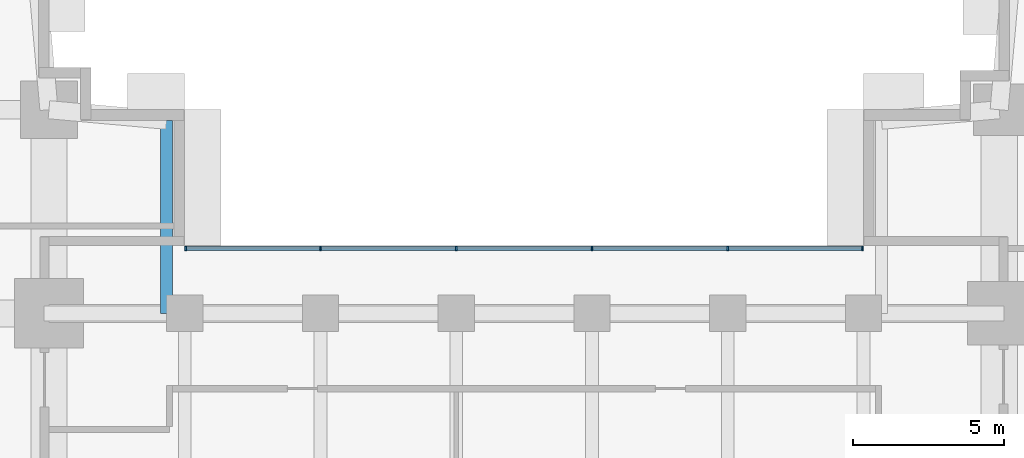
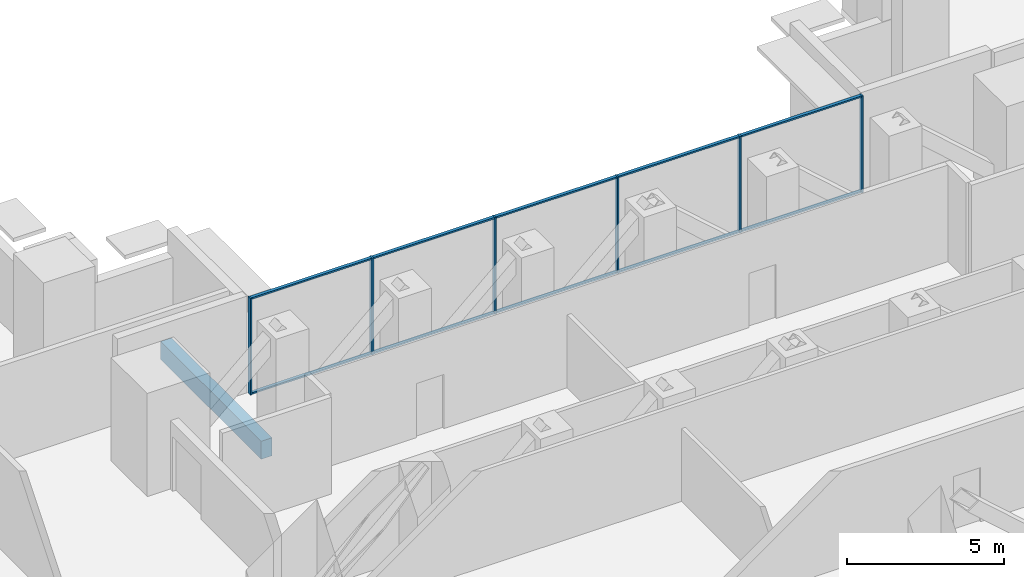
# One storey, part 4 of 16: 16 members, 1 beam, 1 element without a shape of its own.
"""IFC4 building model written with IfcOpenShell, lengths in metres."""

from ifc_helpers import new_model, si_unit, direction, frame, origin, origin_2d, place, context, subcontext, project, spatial, rectangle, extrude, material, layer, layer_set, material_profile, profile_set, type_object, element, aggregate, save


model = new_model("IFC4")

# Units and contexts
model_context = context("Model", 3, precision=1e-05, world=origin(), true_north=direction((0.0, 1.0)))
body_context = subcontext(model_context, "Body", "Model", "MODEL_VIEW")
ifc_project = project(units=[si_unit("LENGTHUNIT", "METRE"), si_unit("AREAUNIT", "SQUARE_METRE"), si_unit("VOLUMEUNIT", "CUBIC_METRE"), si_unit("PLANEANGLEUNIT", "RADIAN"), si_unit("MASSUNIT", "GRAM", prefix="KILO")], contexts=[model_context])

# Site, building, storey
site_placement = place(None, origin())
site = spatial("IfcSite", under=ifc_project, at=site_placement, CompositionType="ELEMENT")
building_placement = place(site_placement, origin())
building = spatial("IfcBuilding", under=site, at=building_placement, Name="Namib Vertical Campus", CompositionType="ELEMENT")
storey_placement = place(building_placement, frame((0.0, 0.0, 117.0)))
storey = spatial("IfcBuildingStorey", under=building, at=storey_placement, Name="L27", CompositionType="ELEMENT", Elevation=117.0)

# Curtain wall, members
ifc_material_1 = material(Name="Black aluminium curtain wall", Category="aluminium")
ifc_layer = layer(ifc_material_1, 0.199951171875)
ifc_layer_set = layer_set([ifc_layer], Name="Bridge curtain wall CW-BR")
curtain_wall_type = type_object("IfcCurtainWallType", Name="Bridge curtain wall CW-BR", PredefinedType="USERDEFINED", material=ifc_layer_set)
curtain_wall_placement = place(storey_placement, origin())
curtain_wall = element("IfcCurtainWall", 1, at=curtain_wall_placement, inside=storey, type_object=curtain_wall_type, Name="Curtain wall CW-BR L27 N", ObjectType="CURTAIN WALL", PredefinedType="USERDEFINED")
ifc_material_2 = material(Name="Black anodised aluminium", Category="aluminium")
ifc_material_profile_1 = material_profile(ifc_material_2, rectangle(XDim=0.06005859375, YDim=0.159912109375, at=origin_2d()))
ifc_profile_set_1 = profile_set([ifc_material_profile_1], Name="Black anodised aluminium")
member_type_1 = type_object("IfcMemberType", Name="Curtain wall mullion 60x160", PredefinedType="MULLION", material=ifc_profile_set_1)
member_1_placement = place(storey_placement, frame((62.969970703125, 31.39990234375, 0.0), z_axis=(0.0, 0.0, 1.0), x_axis=(-1.0, 0.0, 0.0)))
member_1 = element("IfcMember", 2, at=member_1_placement, type_object=member_type_1, Name="CW-BR mullion 1", PredefinedType="MULLION", context=body_context, shape_type="SweptSolid", body=[
    extrude(rectangle(XDim=0.06005859375, YDim=0.159912109375, at=origin_2d()), origin(), (0.0, 0.0, 1.0), 3.75),
])
member_2_placement = place(storey_placement, frame((58.5, 31.39990234375, 0.0), z_axis=(0.0, 0.0, 1.0), x_axis=(-1.0, 0.0, 0.0)))
member_2 = element("IfcMember", 3, at=member_2_placement, type_object=member_type_1, Name="CW-BR mullion 2", PredefinedType="MULLION", context=body_context, shape_type="SweptSolid", body=[
    extrude(rectangle(XDim=0.06005859375, YDim=0.159912109375, at=origin_2d()), origin(), (0.0, 0.0, 1.0), 3.75),
])
member_3_placement = place(storey_placement, frame((54.0, 31.39990234375, 0.0), z_axis=(0.0, 0.0, 1.0), x_axis=(-1.0, 0.0, 0.0)))
member_3 = element("IfcMember", 4, at=member_3_placement, type_object=member_type_1, Name="CW-BR mullion 3", PredefinedType="MULLION", context=body_context, shape_type="SweptSolid", body=[
    extrude(rectangle(XDim=0.06005859375, YDim=0.159912109375, at=origin_2d()), origin(), (0.0, 0.0, 1.0), 3.75),
])
member_4_placement = place(storey_placement, frame((49.5, 31.39990234375, 0.0), z_axis=(0.0, 0.0, 1.0), x_axis=(-1.0, 0.0, 0.0)))
member_4 = element("IfcMember", 5, at=member_4_placement, type_object=member_type_1, Name="CW-BR mullion 4", PredefinedType="MULLION", context=body_context, shape_type="SweptSolid", body=[
    extrude(rectangle(XDim=0.06005859375, YDim=0.159912109375, at=origin_2d()), origin(), (0.0, 0.0, 1.0), 3.75),
])
member_5_placement = place(storey_placement, frame((45.0, 31.39990234375, 0.0), z_axis=(0.0, 0.0, 1.0), x_axis=(-1.0, 0.0, 0.0)))
member_5 = element("IfcMember", 6, at=member_5_placement, type_object=member_type_1, Name="CW-BR mullion 5", PredefinedType="MULLION", context=body_context, shape_type="SweptSolid", body=[
    extrude(rectangle(XDim=0.06005859375, YDim=0.159912109375, at=origin_2d()), origin(), (0.0, 0.0, 1.0), 3.75),
])
member_6_placement = place(storey_placement, frame((40.530029296875, 31.39990234375, 0.0), z_axis=(0.0, 0.0, 1.0), x_axis=(-1.0, 0.0, 0.0)))
member_6 = element("IfcMember", 7, at=member_6_placement, type_object=member_type_1, Name="CW-BR mullion 6", PredefinedType="MULLION", context=body_context, shape_type="SweptSolid", body=[
    extrude(rectangle(XDim=0.06005859375, YDim=0.159912109375, at=origin_2d()), origin(), (0.0, 0.0, 1.0), 3.75),
])
ifc_material_3 = material(Name="Black anodised aluminium", Category="aluminium")
ifc_material_profile_2 = material_profile(ifc_material_3, rectangle(XDim=0.06005859375, YDim=0.1201171875, at=origin_2d()))
ifc_profile_set_2 = profile_set([ifc_material_profile_2], Name="Black anodised aluminium")
member_type_2 = type_object("IfcMemberType", Name="Curtain wall transom 60x120", PredefinedType="USERDEFINED", material=ifc_profile_set_2)
member_7_placement = place(storey_placement, frame((62.93994140625, 31.39990234375, 0.030029296875), z_axis=(-1.0, 0.0, 0.0), x_axis=(0.0, 0.0, 1.0)))
member_7 = element("IfcMember", 8, at=member_7_placement, type_object=member_type_2, Name="CW-BR transom 1.1", ObjectType="TRANSOM", PredefinedType="USERDEFINED", context=body_context, shape_type="SweptSolid", body=[
    extrude(rectangle(XDim=0.06005859375, YDim=0.1201171875, at=origin_2d()), origin(), (0.0, 0.0, 1.0), 4.409912109375),
])
member_8_placement = place(storey_placement, frame((62.93994140625, 31.39990234375, 3.719970703125), z_axis=(-1.0, 0.0, 0.0), x_axis=(0.0, 0.0, 1.0)))
member_8 = element("IfcMember", 9, at=member_8_placement, type_object=member_type_2, Name="CW-BR transom 1.2", ObjectType="TRANSOM", PredefinedType="USERDEFINED", context=body_context, shape_type="SweptSolid", body=[
    extrude(rectangle(XDim=0.06005859375, YDim=0.1201171875, at=origin_2d()), origin(), (0.0, 0.0, 1.0), 4.409912109375),
])
member_9_placement = place(storey_placement, frame((58.469970703125, 31.39990234375, 0.030029296875), z_axis=(-1.0, 0.0, 0.0), x_axis=(0.0, 0.0, 1.0)))
member_9 = element("IfcMember", 10, at=member_9_placement, type_object=member_type_2, Name="CW-BR transom 2.1", ObjectType="TRANSOM", PredefinedType="USERDEFINED", context=body_context, shape_type="SweptSolid", body=[
    extrude(rectangle(XDim=0.06005859375, YDim=0.1201171875, at=origin_2d()), origin(), (0.0, 0.0, 1.0), 4.43994140625),
])
member_10_placement = place(storey_placement, frame((58.469970703125, 31.39990234375, 3.719970703125), z_axis=(-1.0, 0.0, 0.0), x_axis=(0.0, 0.0, 1.0)))
member_10 = element("IfcMember", 11, at=member_10_placement, type_object=member_type_2, Name="CW-BR transom 2.2", ObjectType="TRANSOM", PredefinedType="USERDEFINED", context=body_context, shape_type="SweptSolid", body=[
    extrude(rectangle(XDim=0.06005859375, YDim=0.1201171875, at=origin_2d()), origin(), (0.0, 0.0, 1.0), 4.43994140625),
])
member_11_placement = place(storey_placement, frame((53.969970703125, 31.39990234375, 0.030029296875), z_axis=(-1.0, 0.0, 0.0), x_axis=(0.0, 0.0, 1.0)))
member_11 = element("IfcMember", 12, at=member_11_placement, type_object=member_type_2, Name="CW-BR transom 3.1", ObjectType="TRANSOM", PredefinedType="USERDEFINED", context=body_context, shape_type="SweptSolid", body=[
    extrude(rectangle(XDim=0.06005859375, YDim=0.1201171875, at=origin_2d()), origin(), (0.0, 0.0, 1.0), 4.43994140625),
])
member_12_placement = place(storey_placement, frame((53.969970703125, 31.39990234375, 3.719970703125), z_axis=(-1.0, 0.0, 0.0), x_axis=(0.0, 0.0, 1.0)))
member_12 = element("IfcMember", 13, at=member_12_placement, type_object=member_type_2, Name="CW-BR transom 3.2", ObjectType="TRANSOM", PredefinedType="USERDEFINED", context=body_context, shape_type="SweptSolid", body=[
    extrude(rectangle(XDim=0.06005859375, YDim=0.1201171875, at=origin_2d()), origin(), (0.0, 0.0, 1.0), 4.43994140625),
])
member_13_placement = place(storey_placement, frame((49.469970703125, 31.39990234375, 0.030029296875), z_axis=(-1.0, 0.0, 0.0), x_axis=(0.0, 0.0, 1.0)))
member_13 = element("IfcMember", 14, at=member_13_placement, type_object=member_type_2, Name="CW-BR transom 4.1", ObjectType="TRANSOM", PredefinedType="USERDEFINED", context=body_context, shape_type="SweptSolid", body=[
    extrude(rectangle(XDim=0.06005859375, YDim=0.1201171875, at=origin_2d()), origin(), (0.0, 0.0, 1.0), 4.43994140625),
])
member_14_placement = place(storey_placement, frame((49.469970703125, 31.39990234375, 3.719970703125), z_axis=(-1.0, 0.0, 0.0), x_axis=(0.0, 0.0, 1.0)))
member_14 = element("IfcMember", 15, at=member_14_placement, type_object=member_type_2, Name="CW-BR transom 4.2", ObjectType="TRANSOM", PredefinedType="USERDEFINED", context=body_context, shape_type="SweptSolid", body=[
    extrude(rectangle(XDim=0.06005859375, YDim=0.1201171875, at=origin_2d()), origin(), (0.0, 0.0, 1.0), 4.43994140625),
])
member_15_placement = place(storey_placement, frame((44.969970703125, 31.39990234375, 0.030029296875), z_axis=(-1.0, 0.0, 0.0), x_axis=(0.0, 0.0, 1.0)))
member_15 = element("IfcMember", 16, at=member_15_placement, type_object=member_type_2, Name="CW-BR transom 5.1", ObjectType="TRANSOM", PredefinedType="USERDEFINED", context=body_context, shape_type="SweptSolid", body=[
    extrude(rectangle(XDim=0.06005859375, YDim=0.1201171875, at=origin_2d()), origin(), (0.0, 0.0, 1.0), 4.409912109375),
])
member_16_placement = place(storey_placement, frame((44.969970703125, 31.39990234375, 3.719970703125), z_axis=(-1.0, 0.0, 0.0), x_axis=(0.0, 0.0, 1.0)))
member_16 = element("IfcMember", 17, at=member_16_placement, type_object=member_type_2, Name="CW-BR transom 5.2", ObjectType="TRANSOM", PredefinedType="USERDEFINED", context=body_context, shape_type="SweptSolid", body=[
    extrude(rectangle(XDim=0.06005859375, YDim=0.1201171875, at=origin_2d()), origin(), (0.0, 0.0, 1.0), 4.409912109375),
])
aggregate(curtain_wall, [member_1, member_2, member_3, member_4, member_5, member_6, member_7, member_8, member_9, member_10, member_11, member_12, member_13, member_14, member_15, member_16])

# Beam
ifc_material_4 = material(Name="Concrete C40/50", Category="concrete")
ifc_material_profile_3 = material_profile(ifc_material_4, rectangle(XDim=0.39990234375, YDim=0.699951171875, at=origin_2d()))
ifc_profile_set_3 = profile_set([ifc_material_profile_3], Name="Concrete C40/50")
beam_type = type_object("IfcBeamType", Name="Edge beam RC 400x700", PredefinedType="SPANDREL", material=ifc_profile_set_3)
beam_placement = place(storey_placement, frame((39.89990234375, 29.25, -0.60009765625), z_axis=(0.0, 1.0, 0.0), x_axis=(-1.0, 0.0, 0.0)))
element("IfcBeam", 18, at=beam_placement, inside=storey, type_object=beam_type, Name="Beam B4 L27", PredefinedType="SPANDREL", context=body_context, shape_type="SweptSolid", body=[
    extrude(rectangle(XDim=0.39990234375, YDim=0.699951171875, at=origin_2d()), origin(), (0.0, 0.0, 1.0), 6.39990234375),
])

save(model, "model.ifc")
